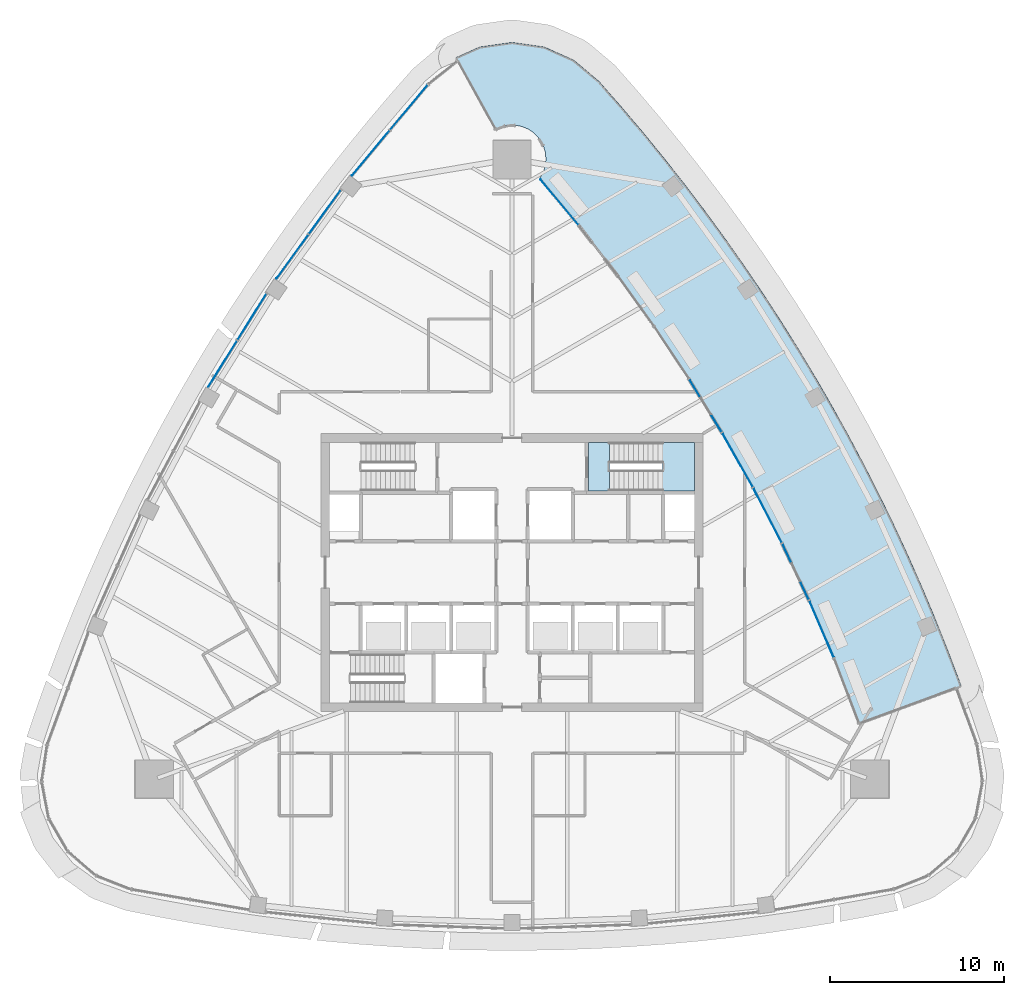
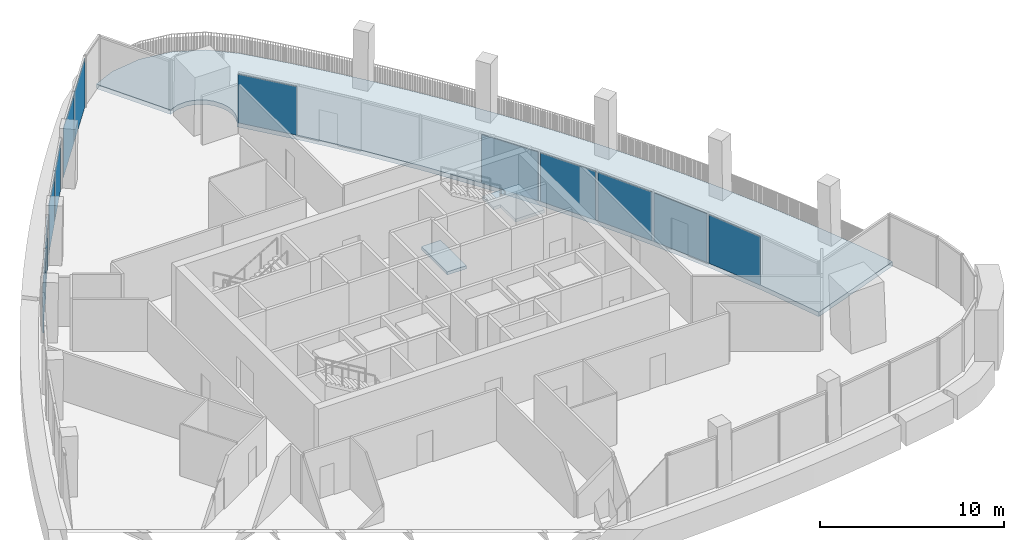
# One storey, part 8 of 18: 12 plates, 3 slabs, 10 elements without a shape of their own.
"""IFC4 building model written with IfcOpenShell, lengths in metres."""

from ifc_helpers import new_model, si_unit, direction, frame, origin, origin_2d, place, context, subcontext, project, spatial, polyline, rectangle, outline, extrude, material, layer, layer_set, type_object, element, aggregate, save


model = new_model("IFC4")

# Units and contexts
model_context = context("Model", 3, precision=1e-05, world=origin(), true_north=direction((0.0, 1.0)))
body_context = subcontext(model_context, "Body", "Model", "MODEL_VIEW")
ifc_project = project(units=[si_unit("LENGTHUNIT", "METRE"), si_unit("AREAUNIT", "SQUARE_METRE"), si_unit("VOLUMEUNIT", "CUBIC_METRE"), si_unit("PLANEANGLEUNIT", "RADIAN"), si_unit("MASSUNIT", "GRAM", prefix="KILO")], contexts=[model_context])

# Site, building, storey
site_placement = place(None, origin())
site = spatial("IfcSite", under=ifc_project, at=site_placement, CompositionType="ELEMENT")
building_placement = place(site_placement, origin())
building = spatial("IfcBuilding", under=site, at=building_placement, Name="Sierra Prisma Convention Tower", CompositionType="ELEMENT")
storey_placement = place(building_placement, frame((0.0, 0.0, 291.0)))
storey = spatial("IfcBuildingStorey", under=building, at=storey_placement, Name="L66", CompositionType="ELEMENT", Elevation=291.0)

# Curtain wall, plates
ifc_material_1 = material(Name="Aluminium and glass curtain wall", Category="aluminium")
ifc_layer_1 = layer(ifc_material_1, 0.179931640625)
ifc_layer_set_1 = layer_set([ifc_layer_1], Name="CW-1 Plain shaft curtain wall")
curtain_wall_type_1 = type_object("IfcCurtainWallType", Name="CW-1 Plain shaft curtain wall", PredefinedType="NOTDEFINED", material=ifc_layer_set_1)
curtain_wall_1_placement = place(storey_placement, origin())
curtain_wall_1 = element("IfcCurtainWall", 1, at=curtain_wall_1_placement, inside=storey, type_object=curtain_wall_type_1, Name="CW-1 NW1 L66", PredefinedType="NOTDEFINED")
ifc_material_2 = material(Name="Tinted glass bronze-grey IGU", Category="glass")
ifc_layer_2 = layer(ifc_material_2, 0.028076171875)
ifc_layer_set_2 = layer_set([ifc_layer_2], Name="CW-1 glass panel")
plate_type_1 = type_object("IfcPlateType", Name="CW-1 glass panel", PredefinedType="CURTAIN_PANEL", material=ifc_layer_set_2)
plate_1_placement = place(storey_placement, frame((-5.93603515625, 26.782958984375, 0.0), z_axis=(0.0, 0.0, 1.0), x_axis=(-0.64089848277, -0.767625647554, 0.0)))
plate_1 = element("IfcPlate", 2, at=plate_1_placement, type_object=plate_type_1, Name="CW-1 panel NW1.1", PredefinedType="CURTAIN_PANEL", context=body_context, shape_type="SweptSolid", body=[
    extrude(rectangle(XDim=3.353271484375, YDim=0.028076171875, at=origin_2d()), origin(), (0.0, 0.0, 1.0), 3.280029296875),
])
plate_2_placement = place(storey_placement, frame((-8.130126953125, 24.155029296875, 0.0), z_axis=(0.0, 0.0, 1.0), x_axis=(-0.64089848277, -0.767625647554, 0.0)))
plate_2 = element("IfcPlate", 3, at=plate_2_placement, type_object=plate_type_1, Name="CW-1 panel NW1.2", PredefinedType="CURTAIN_PANEL", context=body_context, shape_type="SweptSolid", body=[
    extrude(rectangle(XDim=3.353271484375, YDim=0.028076171875, at=origin_2d()), origin(), (0.0, 0.0, 1.0), 3.280029296875),
])
aggregate(curtain_wall_1, [plate_1, plate_2])

curtain_wall_2_placement = place(storey_placement, origin())
curtain_wall_2 = element("IfcCurtainWall", 4, at=curtain_wall_2_placement, inside=storey, type_object=curtain_wall_type_1, Name="CW-1 NW2 L66", PredefinedType="NOTDEFINED")
plate_3_placement = place(storey_placement, frame((-10.77978515625, 20.75439453125, 0.0), z_axis=(0.0, 0.0, 1.0), x_axis=(-0.586588784987, -0.809884928448, 0.0)))
plate_3 = element("IfcPlate", 5, at=plate_3_placement, type_object=plate_type_1, Name="CW-1 panel NW2.1", PredefinedType="CURTAIN_PANEL", context=body_context, shape_type="SweptSolid", body=[
    extrude(rectangle(XDim=3.1064453125, YDim=0.028076171875, at=origin_2d()), origin(), (0.0, 0.0, 1.0), 3.280029296875),
])
plate_4_placement = place(storey_placement, frame((-12.64306640625, 18.181884765625, 0.0), z_axis=(0.0, 0.0, 1.0), x_axis=(-0.586588784987, -0.809884928448, 0.0)))
plate_4 = element("IfcPlate", 6, at=plate_4_placement, type_object=plate_type_1, Name="CW-1 panel NW2.2", PredefinedType="CURTAIN_PANEL", context=body_context, shape_type="SweptSolid", body=[
    extrude(rectangle(XDim=3.1064453125, YDim=0.028076171875, at=origin_2d()), origin(), (0.0, 0.0, 1.0), 3.280029296875),
])
aggregate(curtain_wall_2, [plate_3, plate_4])

curtain_wall_3_placement = place(storey_placement, origin())
curtain_wall_3 = element("IfcCurtainWall", 7, at=curtain_wall_3_placement, inside=storey, type_object=curtain_wall_type_1, Name="CW-1 NW3 L66", PredefinedType="NOTDEFINED")
plate_5_placement = place(storey_placement, frame((-14.967529296875, 14.72705078125, 0.0), z_axis=(0.0, 0.0, 1.0), x_axis=(-0.529501360482, -0.848309088273, 0.0)))
plate_5 = element("IfcPlate", 8, at=plate_5_placement, type_object=plate_type_1, Name="CW-1 panel NW3.1", PredefinedType="CURTAIN_PANEL", context=body_context, shape_type="SweptSolid", body=[
    extrude(rectangle(XDim=3.122314453125, YDim=0.028076171875, at=origin_2d()), origin(), (0.0, 0.0, 1.0), 3.280029296875),
])
plate_6_placement = place(storey_placement, frame((-16.65771484375, 12.01904296875, 0.0), z_axis=(0.0, 0.0, 1.0), x_axis=(-0.529501360482, -0.848309088273, 0.0)))
plate_6 = element("IfcPlate", 9, at=plate_6_placement, type_object=plate_type_1, Name="CW-1 panel NW3.2", PredefinedType="CURTAIN_PANEL", context=body_context, shape_type="SweptSolid", body=[
    extrude(rectangle(XDim=3.122314453125, YDim=0.028076171875, at=origin_2d()), origin(), (0.0, 0.0, 1.0), 3.280029296875),
])
aggregate(curtain_wall_3, [plate_5, plate_6])

# Curtain wall, plate
ifc_material_3 = material(Name="Aluminium and glass curtain wall", Category="aluminium")
ifc_layer_3 = layer(ifc_material_3, 0.179931640625)
ifc_layer_set_3 = layer_set([ifc_layer_3], Name="CW-6 Terrace recess curtain wall")
curtain_wall_type_2 = type_object("IfcCurtainWallType", Name="CW-6 Terrace recess curtain wall", PredefinedType="NOTDEFINED", material=ifc_layer_set_3)
curtain_wall_4_placement = place(storey_placement, origin())
curtain_wall_4 = element("IfcCurtainWall", 10, at=curtain_wall_4_placement, inside=storey, type_object=curtain_wall_type_2, Name="CW-6 R2 L66", PredefinedType="NOTDEFINED")
ifc_material_4 = material(Name="Tinted glass bronze-grey IGU", Category="glass")
ifc_layer_4 = layer(ifc_material_4, 0.028076171875)
ifc_layer_set_4 = layer_set([ifc_layer_4], Name="CW-6 glass panel")
plate_type_2 = type_object("IfcPlateType", Name="CW-6 glass panel", PredefinedType="CURTAIN_PANEL", material=ifc_layer_set_4)
plate_7_placement = place(storey_placement, frame((17.83642578125, -3.286865234375, 0.0), z_axis=(0.0, 0.0, 1.0), x_axis=(-0.395755932624, 0.918355727261, 0.0)))
plate_7 = element("IfcPlate", 11, at=plate_7_placement, type_object=plate_type_2, Name="CW-6 panel R2.1", PredefinedType="CURTAIN_PANEL", context=body_context, shape_type="SweptSolid", body=[
    extrude(rectangle(XDim=3.488525390625, YDim=0.028076171875, at=origin_2d()), origin(), (0.0, 0.0, 1.0), 3.219970703125),
])
aggregate(curtain_wall_4, [plate_7])

curtain_wall_5_placement = place(storey_placement, origin())
curtain_wall_5 = element("IfcCurtainWall", 12, at=curtain_wall_5_placement, inside=storey, type_object=curtain_wall_type_2, Name="CW-6 R3 L66", PredefinedType="NOTDEFINED")
plate_8_placement = place(storey_placement, frame((16.341064453125, 0.0185546875, 0.0), z_axis=(0.0, 0.0, 1.0), x_axis=(-0.428471978237, 0.903555069636, 0.0)))
plate_8 = element("IfcPlate", 13, at=plate_8_placement, type_object=plate_type_2, Name="CW-6 panel R3.1", PredefinedType="CURTAIN_PANEL", context=body_context, shape_type="SweptSolid", body=[
    extrude(rectangle(XDim=3.488525390625, YDim=0.028076171875, at=origin_2d()), origin(), (0.0, 0.0, 1.0), 3.219970703125),
])
aggregate(curtain_wall_5, [plate_8])

curtain_wall_6_placement = place(storey_placement, origin())
curtain_wall_6 = element("IfcCurtainWall", 14, at=curtain_wall_6_placement, inside=storey, type_object=curtain_wall_type_2, Name="CW-6 R4 L66", PredefinedType="NOTDEFINED")
plate_9_placement = place(storey_placement, frame((14.72802734375, 3.26806640625, 0.0), z_axis=(0.0, 0.0, 1.0), x_axis=(-0.460635552464, 0.887589368912, 0.0)))
plate_9 = element("IfcPlate", 15, at=plate_9_placement, type_object=plate_type_2, Name="CW-6 panel R4.1", PredefinedType="CURTAIN_PANEL", context=body_context, shape_type="SweptSolid", body=[
    extrude(rectangle(XDim=3.488525390625, YDim=0.028076171875, at=origin_2d()), origin(), (0.0, 0.0, 1.0), 3.219970703125),
])
aggregate(curtain_wall_6, [plate_9])

curtain_wall_7_placement = place(storey_placement, origin())
curtain_wall_7 = element("IfcCurtainWall", 16, at=curtain_wall_7_placement, inside=storey, type_object=curtain_wall_type_2, Name="CW-6 R5 L66", PredefinedType="NOTDEFINED")
plate_10_placement = place(storey_placement, frame((12.999267578125, 6.457763671875, 0.0), z_axis=(0.0, 0.0, 1.0), x_axis=(-0.492205183621, 0.870479211249, 0.0)))
plate_10 = element("IfcPlate", 17, at=plate_10_placement, type_object=plate_type_2, Name="CW-6 panel R5.1", PredefinedType="CURTAIN_PANEL", context=body_context, shape_type="SweptSolid", body=[
    extrude(rectangle(XDim=3.488525390625, YDim=0.028076171875, at=origin_2d()), origin(), (0.0, 0.0, 1.0), 3.219970703125),
])
aggregate(curtain_wall_7, [plate_10])

curtain_wall_8_placement = place(storey_placement, origin())
curtain_wall_8 = element("IfcCurtainWall", 18, at=curtain_wall_8_placement, inside=storey, type_object=curtain_wall_type_2, Name="CW-6 R6 L66", PredefinedType="NOTDEFINED")
plate_11_placement = place(storey_placement, frame((11.1572265625, 9.583251953125, 0.0), z_axis=(0.0, 0.0, 1.0), x_axis=(-0.52314016584, 0.852246658477, 0.0)))
plate_11 = element("IfcPlate", 19, at=plate_11_placement, type_object=plate_type_2, Name="CW-6 panel R6.1", PredefinedType="CURTAIN_PANEL", context=body_context, shape_type="SweptSolid", body=[
    extrude(rectangle(XDim=3.488525390625, YDim=0.028076171875, at=origin_2d()), origin(), (0.0, 0.0, 1.0), 3.219970703125),
])
aggregate(curtain_wall_8, [plate_11])

curtain_wall_9_placement = place(storey_placement, origin())
curtain_wall_9 = element("IfcCurtainWall", 20, at=curtain_wall_9_placement, inside=storey, type_object=curtain_wall_type_2, Name="CW-6 R10 L66", PredefinedType="NOTDEFINED")
plate_12_placement = place(storey_placement, frame((2.73291015625, 21.3310546875, 0.0), z_axis=(0.0, 0.0, 1.0), x_axis=(-0.639577007382, 0.768727033236, 0.0)))
plate_12 = element("IfcPlate", 21, at=plate_12_placement, type_object=plate_type_2, Name="CW-6 panel R10.1", PredefinedType="CURTAIN_PANEL", context=body_context, shape_type="SweptSolid", body=[
    extrude(rectangle(XDim=3.400146484375, YDim=0.028076171875, at=origin_2d()), origin(), (0.0, 0.0, 1.0), 3.219970703125),
])
aggregate(curtain_wall_9, [plate_12])

# Stair, slab
ifc_material_5 = material(Name="Concrete C30/37", Category="concrete")
stair_type = type_object("IfcStairType", Name="Stair dog-leg 1200 RC", PredefinedType="HALF_TURN_STAIR", material=ifc_material_5)
stair_placement = place(storey_placement, origin())
stair = element("IfcStair", 22, at=stair_placement, inside=storey, type_object=stair_type, Name="L66 S4", PredefinedType="HALF_TURN_STAIR")
ifc_material_6 = material(Name="Concrete C35/45", Category="concrete")
ifc_layer_5 = layer(ifc_material_6, 0.199951171875)
ifc_layer_set_5 = layer_set([ifc_layer_5], Name="Stair landing slab")
slab_type_1 = type_object("IfcSlabType", Name="Stair landing slab", PredefinedType="LANDING", material=ifc_layer_set_5)
slab_1_placement = place(storey_placement, frame((0.0, 0.0, 1.800048828125)))
slab_1 = element("IfcSlab", 23, at=slab_1_placement, type_object=slab_type_1, Name="S4 landing 1", PredefinedType="LANDING", context=body_context, shape_type="SweptSolid", body=[
    extrude(outline(polyline([(10.5, 7.5), (10.5, 4.699951171875), (8.677978515625, 4.699951171875), (8.677978515625, 6.300048828125), (8.22998046875, 6.300048828125), (8.22998046875, 7.5), (10.5, 7.5)])), origin(), (0.0, 0.0, 1.0), 0.199951171875),
])
aggregate(stair, [slab_1])

# Slabs
slab_2_placement = place(storey_placement, frame((0.0, 0.0, -0.199951171875)))
element("IfcSlab", 24, at=slab_2_placement, inside=storey, type_object=slab_type_1, Name="S4 floor landing L66", PredefinedType="LANDING", context=body_context, shape_type="SweptSolid", body=[
    extrude(outline(polyline([(4.39990234375, 4.699951171875), (5.60205078125, 4.699951171875), (5.60205078125, 7.5), (4.39990234375, 7.5), (4.39990234375, 4.699951171875)])), origin(), (0.0, 0.0, 1.0), 0.199951171875),
])
ifc_material_7 = material(Name="Concrete C50/60", Category="concrete")
ifc_layer_6 = layer(ifc_material_7, 0.300048828125)
ifc_layer_set_6 = layer_set([ifc_layer_6], Name="Terrace slab")
slab_type_2 = type_object("IfcSlabType", Name="Terrace slab", PredefinedType="FLOOR", material=ifc_layer_set_6)
slab_3_placement = place(storey_placement, frame((0.0, 0.0, -0.300048828125)))
element("IfcSlab", 25, at=slab_3_placement, inside=storey, type_object=slab_type_2, Name="Terrace slab L66", PredefinedType="FLOOR", context=body_context, shape_type="SweptSolid", body=[
    extrude(outline(polyline([(25.865478515625, -6.5390625), (25.734619140625, -6.173828125), (25.05224609375, -4.3720703125), (24.337890625, -2.5830078125), (23.59130859375, -0.806884765625), (22.81298828125, 0.95556640625), (22.003173828125, 2.70361328125), (21.162109375, 4.436767578125), (20.2900390625, 6.15478515625), (19.38720703125, 7.856689453125), (18.4541015625, 9.542236328125), (17.49072265625, 11.210693359375), (16.497802734375, 12.861572265625), (15.47509765625, 14.494384765625), (14.423583984375, 16.1083984375), (13.343017578125, 17.70361328125), (12.23388671875, 19.27880859375), (11.096923828125, 20.833984375), (9.93212890625, 22.36865234375), (8.73974609375, 23.882080078125), (7.520751953125, 25.373779296875), (6.27490234375, 26.84326171875), (5.0029296875, 28.290283203125), (3.5693359375, 29.49951171875), (1.857177734375, 30.2646484375), (0.0, 30.526611328125), (-1.857177734375, 30.2646484375), (-3.208740234375, 29.66064453125), (-0.940673828125, 25.516357421875), (-0.381591796875, 25.73046875), (0.191650390625, 25.758544921875), (0.567626953125, 25.683837890625), (0.921875, 25.537109375), (1.24072265625, 25.32421875), (1.51171875, 25.052978515625), (1.806884765625, 24.560791015625), (1.91796875, 24.19384765625), (1.95556640625, 23.8125), (1.91796875, 23.430908203125), (1.806884765625, 23.06396484375), (1.600830078125, 22.69189453125), (3.864990234375, 19.97021484375), (4.98779296875, 18.545166015625), (6.084716796875, 17.099853515625), (8.199951171875, 14.151611328125), (10.2080078125, 11.12939453125), (12.106201171875, 8.037109375), (13.89208984375, 4.87841796875), (15.563720703125, 1.65771484375), (17.118408203125, -1.620849609375), (18.554443359375, -4.953125), (19.985107421875, -8.693115234375), (25.865478515625, -6.5390625)])), origin(), (0.0, 0.0, 1.0), 0.300048828125),
])

save(model, "model.ifc")
